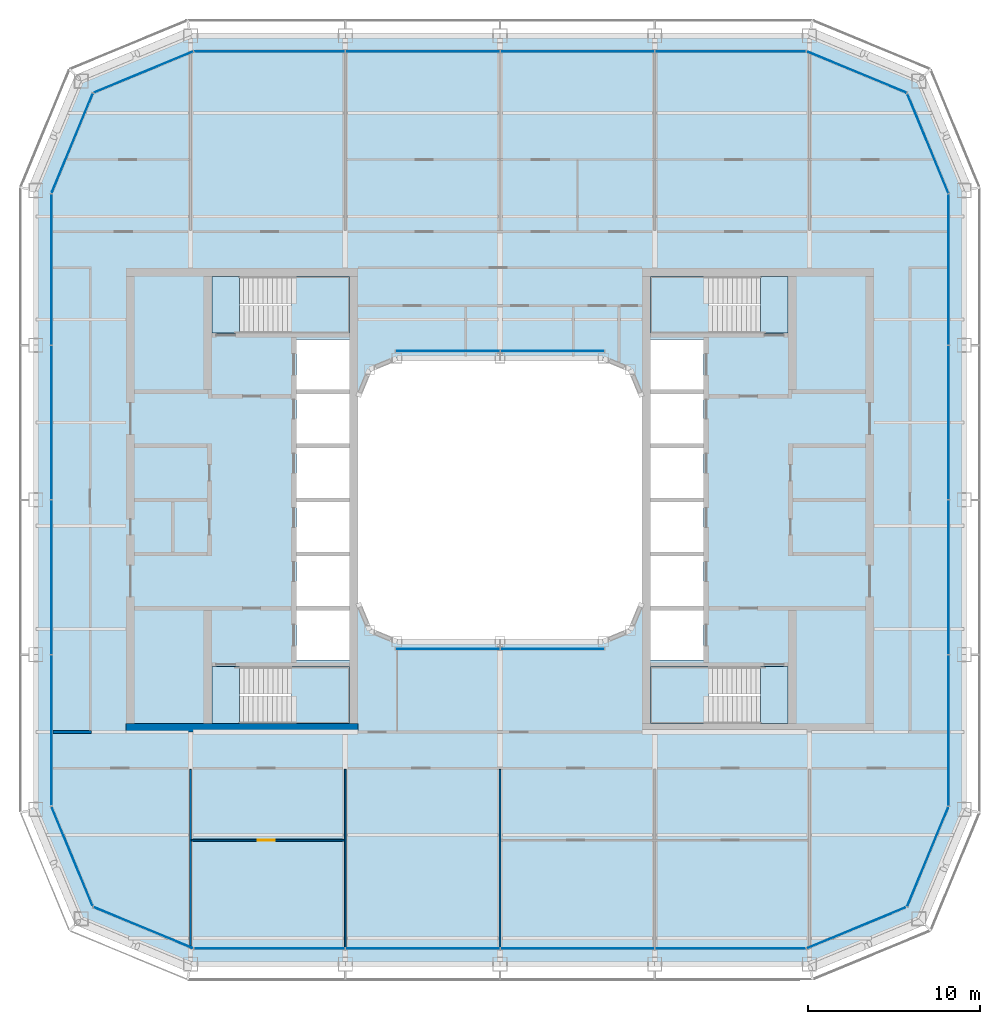
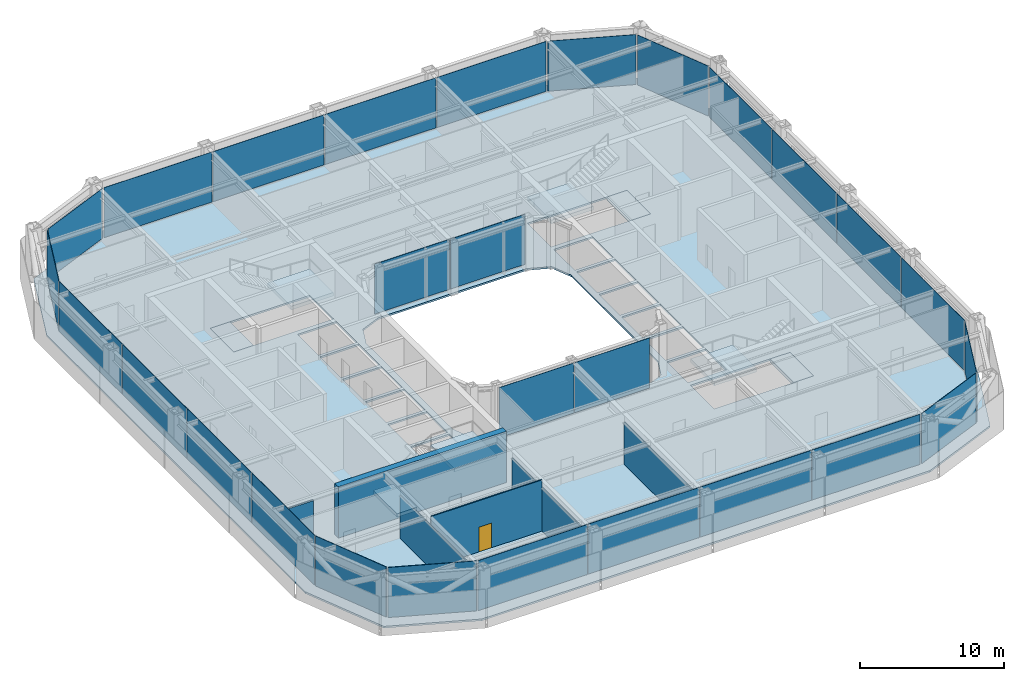
# One storey, part 11 of 19: 28 plates, 9 slabs, 6 walls, 1 door, 1 opening, 18 elements without a shape of their own.
"""IFC4 building model written with IfcOpenShell, lengths in metres."""

from ifc_helpers import new_model, si_unit, direction, frame, frame_2d, origin, origin_2d, place, context, subcontext, project, spatial, polyline, rectangle, outline, extrude, material, layer, layer_set, type_object, element, fill, aggregate, save


model = new_model("IFC4")

# Units and contexts
model_context = context("Model", 3, precision=1e-05, world=origin(), true_north=direction((0.0, 1.0)))
body_context = subcontext(model_context, "Body", "Model", "MODEL_VIEW")
ifc_project = project(units=[si_unit("LENGTHUNIT", "METRE"), si_unit("AREAUNIT", "SQUARE_METRE"), si_unit("VOLUMEUNIT", "CUBIC_METRE"), si_unit("PLANEANGLEUNIT", "RADIAN"), si_unit("MASSUNIT", "GRAM", prefix="KILO")], contexts=[model_context])

# Site, building, storey
site_placement = place(None, origin())
site = spatial("IfcSite", under=ifc_project, at=site_placement, CompositionType="ELEMENT")
building_placement = place(site_placement, origin())
building = spatial("IfcBuilding", under=site, at=building_placement, Name="Siwar Civic Tower", CompositionType="ELEMENT")
storey_placement = place(building_placement, frame((0.0, 0.0, 192.699951171875)))
storey = spatial("IfcBuildingStorey", under=building, at=storey_placement, Name="L41", CompositionType="ELEMENT", Elevation=192.699951171875)

# Stair, slabs
ifc_material_1 = material(Name="Concrete C40/50", Category="concrete")
stair_type = type_object("IfcStairType", Name="CORE-STAIR", PredefinedType="TWO_STRAIGHT_RUN_STAIR", material=ifc_material_1)
stair_1_placement = place(storey_placement, origin())
stair_1 = element("IfcStair", 1, at=stair_1_placement, inside=storey, type_object=stair_type, Name="Exit stair ST1", PredefinedType="TWO_STRAIGHT_RUN_STAIR")
ifc_material_2 = material(Name="Concrete C40/50", Category="concrete")
ifc_layer_1 = layer(ifc_material_2, 0.300048828125)
ifc_layer_set_1 = layer_set([ifc_layer_1], Name="Concrete C40/50")
slab_type_1 = type_object("IfcSlabType", Name="CORE-STAIR-LANDING", PredefinedType="LANDING", material=ifc_layer_set_1)
slab_1_placement = place(storey_placement, frame((0.0, 0.0, -0.300048828125)))
slab_1 = element("IfcSlab", 2, at=slab_1_placement, type_object=slab_type_1, Name="ST1 landing 1", PredefinedType="LANDING", context=body_context, shape_type="SweptSolid", body=[
    extrude(outline(polyline([(-15.14990234375, 13.0), (-16.75, 13.0), (-16.75, 9.699951171875), (-15.14990234375, 9.699951171875), (-15.14990234375, 13.0)])), origin(), (0.0, 0.0, 1.0), 0.300048828125),
])
slab_2_placement = place(storey_placement, frame((0.0, 0.0, 1.949951171875)))
slab_2 = element("IfcSlab", 3, at=slab_2_placement, type_object=slab_type_1, Name="ST1 landing 2", PredefinedType="LANDING", context=body_context, shape_type="SweptSolid", body=[
    extrude(outline(polyline([(-8.75, 13.0), (-12.139892578125, 13.0), (-12.139892578125, 9.699951171875), (-8.75, 9.699951171875), (-8.75, 13.0)])), origin(), (0.0, 0.0, 1.0), 0.300048828125),
])
aggregate(stair_1, [slab_1, slab_2])

stair_2_placement = place(storey_placement, origin())
stair_2 = element("IfcStair", 4, at=stair_2_placement, inside=storey, type_object=stair_type, Name="Exit stair ST2", PredefinedType="TWO_STRAIGHT_RUN_STAIR")
slab_3_placement = place(storey_placement, frame((0.0, 0.0, -0.300048828125)))
slab_3 = element("IfcSlab", 5, at=slab_3_placement, type_object=slab_type_1, Name="ST2 landing 1", PredefinedType="LANDING", context=body_context, shape_type="SweptSolid", body=[
    extrude(outline(polyline([(-15.14990234375, -9.699951171875), (-16.75, -9.699951171875), (-16.75, -13.0), (-15.14990234375, -13.0), (-15.14990234375, -9.699951171875)])), origin(), (0.0, 0.0, 1.0), 0.300048828125),
])
slab_4_placement = place(storey_placement, frame((0.0, 0.0, 1.949951171875)))
slab_4 = element("IfcSlab", 6, at=slab_4_placement, type_object=slab_type_1, Name="ST2 landing 2", PredefinedType="LANDING", context=body_context, shape_type="SweptSolid", body=[
    extrude(outline(polyline([(-8.75, -9.699951171875), (-12.139892578125, -9.699951171875), (-12.139892578125, -13.0), (-8.75, -13.0), (-8.75, -9.699951171875)])), origin(), (0.0, 0.0, 1.0), 0.300048828125),
])
aggregate(stair_2, [slab_3, slab_4])

stair_3_placement = place(storey_placement, origin())
stair_3 = element("IfcStair", 7, at=stair_3_placement, inside=storey, type_object=stair_type, Name="Exit stair ST3", PredefinedType="TWO_STRAIGHT_RUN_STAIR")
slab_5_placement = place(storey_placement, frame((0.0, 0.0, -0.300048828125)))
slab_5 = element("IfcSlab", 8, at=slab_5_placement, type_object=slab_type_1, Name="ST3 landing 1", PredefinedType="LANDING", context=body_context, shape_type="SweptSolid", body=[
    extrude(outline(polyline([(15.14990234375, 9.699951171875), (16.75, 9.699951171875), (16.75, 13.0), (15.14990234375, 13.0), (15.14990234375, 9.699951171875)])), origin(), (0.0, 0.0, 1.0), 0.300048828125),
])
slab_6_placement = place(storey_placement, frame((0.0, 0.0, 1.949951171875)))
slab_6 = element("IfcSlab", 9, at=slab_6_placement, type_object=slab_type_1, Name="ST3 landing 2", PredefinedType="LANDING", context=body_context, shape_type="SweptSolid", body=[
    extrude(outline(polyline([(8.75, 9.699951171875), (12.139892578125, 9.699951171875), (12.139892578125, 13.0), (8.75, 13.0), (8.75, 9.699951171875)])), origin(), (0.0, 0.0, 1.0), 0.300048828125),
])
aggregate(stair_3, [slab_5, slab_6])

stair_4_placement = place(storey_placement, origin())
stair_4 = element("IfcStair", 10, at=stair_4_placement, inside=storey, type_object=stair_type, Name="Exit stair ST4", PredefinedType="TWO_STRAIGHT_RUN_STAIR")
slab_7_placement = place(storey_placement, frame((0.0, 0.0, -0.300048828125)))
slab_7 = element("IfcSlab", 11, at=slab_7_placement, type_object=slab_type_1, Name="ST4 landing 1", PredefinedType="LANDING", context=body_context, shape_type="SweptSolid", body=[
    extrude(outline(polyline([(15.14990234375, -13.0), (16.75, -13.0), (16.75, -9.699951171875), (15.14990234375, -9.699951171875), (15.14990234375, -13.0)])), origin(), (0.0, 0.0, 1.0), 0.300048828125),
])
slab_8_placement = place(storey_placement, frame((0.0, 0.0, 1.949951171875)))
slab_8 = element("IfcSlab", 12, at=slab_8_placement, type_object=slab_type_1, Name="ST4 landing 2", PredefinedType="LANDING", context=body_context, shape_type="SweptSolid", body=[
    extrude(outline(polyline([(8.75, -13.0), (12.139892578125, -13.0), (12.139892578125, -9.699951171875), (8.75, -9.699951171875), (8.75, -13.0)])), origin(), (0.0, 0.0, 1.0), 0.300048828125),
])
aggregate(stair_4, [slab_7, slab_8])

# Curtain wall, plates
ifc_material_3 = material(Name="Aluminium and glass", Category="aluminium")
ifc_layer_2 = layer(ifc_material_3, 0.179931640625)
ifc_layer_set_2 = layer_set([ifc_layer_2], Name="Aluminium and glass")
curtain_wall_type_1 = type_object("IfcCurtainWallType", Name="ENV-CW-C", PredefinedType="NOTDEFINED", material=ifc_layer_set_2)
curtain_wall_1_placement = place(storey_placement, origin())
curtain_wall_1 = element("IfcCurtainWall", 13, at=curtain_wall_1_placement, inside=storey, type_object=curtain_wall_type_1, Name="Curtain wall C S", PredefinedType="NOTDEFINED")
ifc_material_4 = material(Name="Glass clear laminated", Category="glass")
ifc_layer_3 = layer(ifc_material_4, 0.031982421875)
ifc_layer_set_3 = layer_set([ifc_layer_3], Name="Glass clear laminated")
plate_type_1 = type_object("IfcPlateType", Name="ENV-PANEL-C", PredefinedType="CURTAIN_PANEL", material=ifc_layer_set_3)
plate_1_placement = place(storey_placement, frame((-13.410400390625, -26.10009765625, 0.10009765625), z_axis=(0.0, 0.0, 1.0), x_axis=(1.0, 0.0, 0.0)))
plate_1 = element("IfcPlate", 14, at=plate_1_placement, type_object=plate_type_1, Name="Curtain panel C S 1", PredefinedType="CURTAIN_PANEL", context=body_context, shape_type="SweptSolid", body=[
    extrude(rectangle(XDim=8.760986328125, YDim=0.031982421875, at=origin_2d()), origin(), (0.0, 0.0, 1.0), 4.25),
])
plate_2_placement = place(storey_placement, frame((-4.5, -26.10009765625, 0.10009765625), z_axis=(0.0, 0.0, 1.0), x_axis=(1.0, 0.0, 0.0)))
plate_2 = element("IfcPlate", 15, at=plate_2_placement, type_object=plate_type_1, Name="Curtain panel C S 2", PredefinedType="CURTAIN_PANEL", context=body_context, shape_type="SweptSolid", body=[
    extrude(rectangle(XDim=8.93994140625, YDim=0.031982421875, at=origin_2d()), origin(), (0.0, 0.0, 1.0), 4.25),
])
plate_3_placement = place(storey_placement, frame((4.5, -26.10009765625, 0.10009765625), z_axis=(0.0, 0.0, 1.0), x_axis=(1.0, 0.0, 0.0)))
plate_3 = element("IfcPlate", 16, at=plate_3_placement, type_object=plate_type_1, Name="Curtain panel C S 3", PredefinedType="CURTAIN_PANEL", context=body_context, shape_type="SweptSolid", body=[
    extrude(rectangle(XDim=8.93994140625, YDim=0.031982421875, at=origin_2d()), origin(), (0.0, 0.0, 1.0), 4.25),
])
plate_4_placement = place(storey_placement, frame((13.373046875, -26.10009765625, 0.10009765625), z_axis=(0.0, 0.0, 1.0), x_axis=(1.0, 0.0, 0.0)))
plate_4 = element("IfcPlate", 17, at=plate_4_placement, type_object=plate_type_1, Name="Curtain panel C S 4", PredefinedType="CURTAIN_PANEL", context=body_context, shape_type="SweptSolid", body=[
    extrude(rectangle(XDim=8.68603515625, YDim=0.031982421875, at=origin_2d()), origin(), (0.0, 0.0, 1.0), 4.25),
])
aggregate(curtain_wall_1, [plate_1, plate_2, plate_3, plate_4])

curtain_wall_2_placement = place(storey_placement, origin())
curtain_wall_2 = element("IfcCurtainWall", 18, at=curtain_wall_2_placement, inside=storey, type_object=curtain_wall_type_1, Name="Curtain wall C E", PredefinedType="NOTDEFINED")
plate_5_placement = place(storey_placement, frame((26.10009765625, -13.410400390625, 0.10009765625), z_axis=(0.0, 0.0, 1.0), x_axis=(0.0, 1.0, 0.0)))
plate_5 = element("IfcPlate", 19, at=plate_5_placement, type_object=plate_type_1, Name="Curtain panel C E 1", PredefinedType="CURTAIN_PANEL", context=body_context, shape_type="SweptSolid", body=[
    extrude(rectangle(XDim=8.760986328125, YDim=0.031982421875, at=origin_2d()), origin(), (0.0, 0.0, 1.0), 4.25),
])
plate_6_placement = place(storey_placement, frame((26.10009765625, -4.5, 0.10009765625), z_axis=(0.0, 0.0, 1.0), x_axis=(0.0, 1.0, 0.0)))
plate_6 = element("IfcPlate", 20, at=plate_6_placement, type_object=plate_type_1, Name="Curtain panel C E 2", PredefinedType="CURTAIN_PANEL", context=body_context, shape_type="SweptSolid", body=[
    extrude(rectangle(XDim=8.93994140625, YDim=0.031982421875, at=origin_2d()), origin(), (0.0, 0.0, 1.0), 4.25),
])
plate_7_placement = place(storey_placement, frame((26.10009765625, 4.5, 0.10009765625), z_axis=(0.0, 0.0, 1.0), x_axis=(0.0, 1.0, 0.0)))
plate_7 = element("IfcPlate", 21, at=plate_7_placement, type_object=plate_type_1, Name="Curtain panel C E 3", PredefinedType="CURTAIN_PANEL", context=body_context, shape_type="SweptSolid", body=[
    extrude(rectangle(XDim=8.93994140625, YDim=0.031982421875, at=origin_2d()), origin(), (0.0, 0.0, 1.0), 4.25),
])
plate_8_placement = place(storey_placement, frame((26.10009765625, 13.373046875, 0.10009765625), z_axis=(0.0, 0.0, 1.0), x_axis=(0.0, 1.0, 0.0)))
plate_8 = element("IfcPlate", 22, at=plate_8_placement, type_object=plate_type_1, Name="Curtain panel C E 4", PredefinedType="CURTAIN_PANEL", context=body_context, shape_type="SweptSolid", body=[
    extrude(rectangle(XDim=8.68603515625, YDim=0.031982421875, at=origin_2d()), origin(), (0.0, 0.0, 1.0), 4.25),
])
aggregate(curtain_wall_2, [plate_5, plate_6, plate_7, plate_8])

curtain_wall_3_placement = place(storey_placement, origin())
curtain_wall_3 = element("IfcCurtainWall", 23, at=curtain_wall_3_placement, inside=storey, type_object=curtain_wall_type_1, Name="Curtain wall C N", PredefinedType="NOTDEFINED")
plate_9_placement = place(storey_placement, frame((13.410400390625, 26.10009765625, 0.10009765625), z_axis=(0.0, 0.0, 1.0), x_axis=(-1.0, 0.0, 0.0)))
plate_9 = element("IfcPlate", 24, at=plate_9_placement, type_object=plate_type_1, Name="Curtain panel C N 1", PredefinedType="CURTAIN_PANEL", context=body_context, shape_type="SweptSolid", body=[
    extrude(rectangle(XDim=8.760986328125, YDim=0.031982421875, at=origin_2d()), origin(), (0.0, 0.0, 1.0), 4.25),
])
plate_10_placement = place(storey_placement, frame((4.5, 26.10009765625, 0.10009765625), z_axis=(0.0, 0.0, 1.0), x_axis=(-1.0, 0.0, 0.0)))
plate_10 = element("IfcPlate", 25, at=plate_10_placement, type_object=plate_type_1, Name="Curtain panel C N 2", PredefinedType="CURTAIN_PANEL", context=body_context, shape_type="SweptSolid", body=[
    extrude(rectangle(XDim=8.93994140625, YDim=0.031982421875, at=origin_2d()), origin(), (0.0, 0.0, 1.0), 4.25),
])
plate_11_placement = place(storey_placement, frame((-4.5, 26.10009765625, 0.10009765625), z_axis=(0.0, 0.0, 1.0), x_axis=(-1.0, 0.0, 0.0)))
plate_11 = element("IfcPlate", 26, at=plate_11_placement, type_object=plate_type_1, Name="Curtain panel C N 3", PredefinedType="CURTAIN_PANEL", context=body_context, shape_type="SweptSolid", body=[
    extrude(rectangle(XDim=8.93994140625, YDim=0.031982421875, at=origin_2d()), origin(), (0.0, 0.0, 1.0), 4.25),
])
plate_12_placement = place(storey_placement, frame((-13.373046875, 26.10009765625, 0.10009765625), z_axis=(0.0, 0.0, 1.0), x_axis=(-1.0, 0.0, 0.0)))
plate_12 = element("IfcPlate", 27, at=plate_12_placement, type_object=plate_type_1, Name="Curtain panel C N 4", PredefinedType="CURTAIN_PANEL", context=body_context, shape_type="SweptSolid", body=[
    extrude(rectangle(XDim=8.68603515625, YDim=0.031982421875, at=origin_2d()), origin(), (0.0, 0.0, 1.0), 4.25),
])
aggregate(curtain_wall_3, [plate_9, plate_10, plate_11, plate_12])

curtain_wall_4_placement = place(storey_placement, origin())
curtain_wall_4 = element("IfcCurtainWall", 28, at=curtain_wall_4_placement, inside=storey, type_object=curtain_wall_type_1, Name="Curtain wall C W", PredefinedType="NOTDEFINED")
plate_13_placement = place(storey_placement, frame((-26.10009765625, 13.410400390625, 0.10009765625), z_axis=(0.0, 0.0, 1.0), x_axis=(0.0, -1.0, 0.0)))
plate_13 = element("IfcPlate", 29, at=plate_13_placement, type_object=plate_type_1, Name="Curtain panel C W 1", PredefinedType="CURTAIN_PANEL", context=body_context, shape_type="SweptSolid", body=[
    extrude(rectangle(XDim=8.760986328125, YDim=0.031982421875, at=origin_2d()), origin(), (0.0, 0.0, 1.0), 4.25),
])
plate_14_placement = place(storey_placement, frame((-26.10009765625, 4.5, 0.10009765625), z_axis=(0.0, 0.0, 1.0), x_axis=(0.0, -1.0, 0.0)))
plate_14 = element("IfcPlate", 30, at=plate_14_placement, type_object=plate_type_1, Name="Curtain panel C W 2", PredefinedType="CURTAIN_PANEL", context=body_context, shape_type="SweptSolid", body=[
    extrude(rectangle(XDim=8.93994140625, YDim=0.031982421875, at=origin_2d()), origin(), (0.0, 0.0, 1.0), 4.25),
])
plate_15_placement = place(storey_placement, frame((-26.10009765625, -4.5, 0.10009765625), z_axis=(0.0, 0.0, 1.0), x_axis=(0.0, -1.0, 0.0)))
plate_15 = element("IfcPlate", 31, at=plate_15_placement, type_object=plate_type_1, Name="Curtain panel C W 3", PredefinedType="CURTAIN_PANEL", context=body_context, shape_type="SweptSolid", body=[
    extrude(rectangle(XDim=8.93994140625, YDim=0.031982421875, at=origin_2d()), origin(), (0.0, 0.0, 1.0), 4.25),
])
plate_16_placement = place(storey_placement, frame((-26.10009765625, -13.373046875, 0.10009765625), z_axis=(0.0, 0.0, 1.0), x_axis=(0.0, -1.0, 0.0)))
plate_16 = element("IfcPlate", 32, at=plate_16_placement, type_object=plate_type_1, Name="Curtain panel C W 4", PredefinedType="CURTAIN_PANEL", context=body_context, shape_type="SweptSolid", body=[
    extrude(rectangle(XDim=8.68603515625, YDim=0.031982421875, at=origin_2d()), origin(), (0.0, 0.0, 1.0), 4.25),
])
aggregate(curtain_wall_4, [plate_13, plate_14, plate_15, plate_16])

# Curtain wall, plate
ifc_material_5 = material(Name="Aluminium clad insulated panel", Category="aluminium")
ifc_layer_4 = layer(ifc_material_5, 0.179931640625)
ifc_layer_set_4 = layer_set([ifc_layer_4], Name="Aluminium clad insulated panel")
curtain_wall_type_2 = type_object("IfcCurtainWallType", Name="ENV-CW-CX", PredefinedType="NOTDEFINED", material=ifc_layer_set_4)
curtain_wall_5_placement = place(storey_placement, origin())
curtain_wall_5 = element("IfcCurtainWall", 33, at=curtain_wall_5_placement, inside=storey, type_object=curtain_wall_type_2, Name="Curtain wall C SE1", PredefinedType="NOTDEFINED")
ifc_material_6 = material(Name="Aluminium clad insulated panel", Category="aluminium")
ifc_layer_5 = layer(ifc_material_6, 0.031982421875)
ifc_layer_set_5 = layer_set([ifc_layer_5], Name="Aluminium clad insulated panel")
plate_type_2 = type_object("IfcPlateType", Name="ENV-PANEL-CX", PredefinedType="CURTAIN_PANEL", material=ifc_layer_set_5)
plate_17_placement = place(storey_placement, frame((20.71337890625, -24.90185546875, 0.10009765625), z_axis=(0.0, 0.0, 1.0), x_axis=(0.923879532511, 0.382683432365, 0.0)))
plate_17 = element("IfcPlate", 34, at=plate_17_placement, type_object=plate_type_2, Name="Curtain panel C SE1 1", PredefinedType="CURTAIN_PANEL", context=body_context, shape_type="SweptSolid", body=[
    extrude(rectangle(XDim=6.20166015625, YDim=0.031982421875, at=origin_2d()), origin(), (0.0, 0.0, 1.0), 4.25),
])
aggregate(curtain_wall_5, [plate_17])

curtain_wall_6_placement = place(storey_placement, origin())
curtain_wall_6 = element("IfcCurtainWall", 35, at=curtain_wall_6_placement, inside=storey, type_object=curtain_wall_type_2, Name="Curtain wall C SE2", PredefinedType="NOTDEFINED")
plate_18_placement = place(storey_placement, frame((24.873291015625, -20.78271484375, 0.10009765625), z_axis=(0.0, 0.0, 1.0), x_axis=(0.382683432365, 0.923879532511, 0.0)))
plate_18 = element("IfcPlate", 36, at=plate_18_placement, type_object=plate_type_2, Name="Curtain panel C SE2 1", PredefinedType="CURTAIN_PANEL", context=body_context, shape_type="SweptSolid", body=[
    extrude(rectangle(XDim=6.20166015625, YDim=0.031982421875, at=origin_2d()), origin(), (0.0, 0.0, 1.0), 4.25),
])
aggregate(curtain_wall_6, [plate_18])

curtain_wall_7_placement = place(storey_placement, origin())
curtain_wall_7 = element("IfcCurtainWall", 37, at=curtain_wall_7_placement, inside=storey, type_object=curtain_wall_type_2, Name="Curtain wall C NE1", PredefinedType="NOTDEFINED")
plate_19_placement = place(storey_placement, frame((24.90185546875, 20.71337890625, 0.10009765625), z_axis=(0.0, 0.0, 1.0), x_axis=(-0.382683432365, 0.923879532511, 0.0)))
plate_19 = element("IfcPlate", 38, at=plate_19_placement, type_object=plate_type_2, Name="Curtain panel C NE1 1", PredefinedType="CURTAIN_PANEL", context=body_context, shape_type="SweptSolid", body=[
    extrude(rectangle(XDim=6.20166015625, YDim=0.031982421875, at=origin_2d()), origin(), (0.0, 0.0, 1.0), 4.25),
])
aggregate(curtain_wall_7, [plate_19])

curtain_wall_8_placement = place(storey_placement, origin())
curtain_wall_8 = element("IfcCurtainWall", 39, at=curtain_wall_8_placement, inside=storey, type_object=curtain_wall_type_2, Name="Curtain wall C NE2", PredefinedType="NOTDEFINED")
plate_20_placement = place(storey_placement, frame((20.78271484375, 24.873291015625, 0.10009765625), z_axis=(0.0, 0.0, 1.0), x_axis=(-0.923879532511, 0.382683432365, 0.0)))
plate_20 = element("IfcPlate", 40, at=plate_20_placement, type_object=plate_type_2, Name="Curtain panel C NE2 1", PredefinedType="CURTAIN_PANEL", context=body_context, shape_type="SweptSolid", body=[
    extrude(rectangle(XDim=6.20166015625, YDim=0.031982421875, at=origin_2d()), origin(), (0.0, 0.0, 1.0), 4.25),
])
aggregate(curtain_wall_8, [plate_20])

curtain_wall_9_placement = place(storey_placement, origin())
curtain_wall_9 = element("IfcCurtainWall", 41, at=curtain_wall_9_placement, inside=storey, type_object=curtain_wall_type_2, Name="Curtain wall C NW1", PredefinedType="NOTDEFINED")
plate_21_placement = place(storey_placement, frame((-20.71337890625, 24.90185546875, 0.10009765625), z_axis=(0.0, 0.0, 1.0), x_axis=(-0.923879532511, -0.382683432365, 0.0)))
plate_21 = element("IfcPlate", 42, at=plate_21_placement, type_object=plate_type_2, Name="Curtain panel C NW1 1", PredefinedType="CURTAIN_PANEL", context=body_context, shape_type="SweptSolid", body=[
    extrude(rectangle(XDim=6.20166015625, YDim=0.031982421875, at=origin_2d()), origin(), (0.0, 0.0, 1.0), 4.25),
])
aggregate(curtain_wall_9, [plate_21])

curtain_wall_10_placement = place(storey_placement, origin())
curtain_wall_10 = element("IfcCurtainWall", 43, at=curtain_wall_10_placement, inside=storey, type_object=curtain_wall_type_2, Name="Curtain wall C NW2", PredefinedType="NOTDEFINED")
plate_22_placement = place(storey_placement, frame((-24.873291015625, 20.78271484375, 0.10009765625), z_axis=(0.0, 0.0, 1.0), x_axis=(-0.382683432365, -0.923879532511, 0.0)))
plate_22 = element("IfcPlate", 44, at=plate_22_placement, type_object=plate_type_2, Name="Curtain panel C NW2 1", PredefinedType="CURTAIN_PANEL", context=body_context, shape_type="SweptSolid", body=[
    extrude(rectangle(XDim=6.20166015625, YDim=0.031982421875, at=origin_2d()), origin(), (0.0, 0.0, 1.0), 4.25),
])
aggregate(curtain_wall_10, [plate_22])

curtain_wall_11_placement = place(storey_placement, origin())
curtain_wall_11 = element("IfcCurtainWall", 45, at=curtain_wall_11_placement, inside=storey, type_object=curtain_wall_type_2, Name="Curtain wall C SW1", PredefinedType="NOTDEFINED")
plate_23_placement = place(storey_placement, frame((-24.90185546875, -20.71337890625, 0.10009765625), z_axis=(0.0, 0.0, 1.0), x_axis=(0.382683432365, -0.923879532511, 0.0)))
plate_23 = element("IfcPlate", 46, at=plate_23_placement, type_object=plate_type_2, Name="Curtain panel C SW1 1", PredefinedType="CURTAIN_PANEL", context=body_context, shape_type="SweptSolid", body=[
    extrude(rectangle(XDim=6.20166015625, YDim=0.031982421875, at=origin_2d()), origin(), (0.0, 0.0, 1.0), 4.25),
])
aggregate(curtain_wall_11, [plate_23])

curtain_wall_12_placement = place(storey_placement, origin())
curtain_wall_12 = element("IfcCurtainWall", 47, at=curtain_wall_12_placement, inside=storey, type_object=curtain_wall_type_2, Name="Curtain wall C SW2", PredefinedType="NOTDEFINED")
plate_24_placement = place(storey_placement, frame((-20.78271484375, -24.873291015625, 0.10009765625), z_axis=(0.0, 0.0, 1.0), x_axis=(0.923879532511, -0.382683432365, 0.0)))
plate_24 = element("IfcPlate", 48, at=plate_24_placement, type_object=plate_type_2, Name="Curtain panel C SW2 1", PredefinedType="CURTAIN_PANEL", context=body_context, shape_type="SweptSolid", body=[
    extrude(rectangle(XDim=6.20166015625, YDim=0.031982421875, at=origin_2d()), origin(), (0.0, 0.0, 1.0), 4.25),
])
aggregate(curtain_wall_12, [plate_24])

# Curtain wall, plates
ifc_material_7 = material(Name="Aluminium and glass", Category="aluminium")
ifc_layer_6 = layer(ifc_material_7, 0.179931640625)
ifc_layer_set_6 = layer_set([ifc_layer_6], Name="Aluminium and glass")
curtain_wall_type_3 = type_object("IfcCurtainWallType", Name="ENV-CW-W", PredefinedType="NOTDEFINED", material=ifc_layer_set_6)
curtain_wall_13_placement = place(storey_placement, origin())
curtain_wall_13 = element("IfcCurtainWall", 49, at=curtain_wall_13_placement, inside=storey, type_object=curtain_wall_type_3, Name="Curtain wall W WS", PredefinedType="NOTDEFINED")
ifc_material_8 = material(Name="Glass clear laminated", Category="glass")
ifc_layer_7 = layer(ifc_material_8, 0.031982421875)
ifc_layer_set_7 = layer_set([ifc_layer_7], Name="Glass clear laminated")
plate_type_3 = type_object("IfcPlateType", Name="ENV-PANEL-W", PredefinedType="CURTAIN_PANEL", material=ifc_layer_set_7)
plate_25_placement = place(storey_placement, frame((-3.040771484375, -8.659912109375, 0.10009765625), z_axis=(0.0, 0.0, 1.0), x_axis=(1.0, 0.0, 0.0)))
plate_25 = element("IfcPlate", 50, at=plate_25_placement, type_object=plate_type_3, Name="Curtain panel W WS 1", PredefinedType="CURTAIN_PANEL", context=body_context, shape_type="SweptSolid", body=[
    extrude(rectangle(XDim=6.021484375, YDim=0.031982421875, at=origin_2d()), origin(), (0.0, 0.0, 1.0), 4.25),
])
plate_26_placement = place(storey_placement, frame((3.040771484375, -8.659912109375, 0.10009765625), z_axis=(0.0, 0.0, 1.0), x_axis=(1.0, 0.0, 0.0)))
plate_26 = element("IfcPlate", 51, at=plate_26_placement, type_object=plate_type_3, Name="Curtain panel W WS 2", PredefinedType="CURTAIN_PANEL", context=body_context, shape_type="SweptSolid", body=[
    extrude(rectangle(XDim=6.021484375, YDim=0.031982421875, at=origin_2d()), origin(), (0.0, 0.0, 1.0), 4.25),
])
aggregate(curtain_wall_13, [plate_25, plate_26])

curtain_wall_14_placement = place(storey_placement, origin())
curtain_wall_14 = element("IfcCurtainWall", 52, at=curtain_wall_14_placement, inside=storey, type_object=curtain_wall_type_3, Name="Curtain wall W WN", PredefinedType="NOTDEFINED")
plate_27_placement = place(storey_placement, frame((3.040771484375, 8.659912109375, 0.10009765625), z_axis=(0.0, 0.0, 1.0), x_axis=(-1.0, 0.0, 0.0)))
plate_27 = element("IfcPlate", 53, at=plate_27_placement, type_object=plate_type_3, Name="Curtain panel W WN 1", PredefinedType="CURTAIN_PANEL", context=body_context, shape_type="SweptSolid", body=[
    extrude(rectangle(XDim=6.021484375, YDim=0.031982421875, at=origin_2d()), origin(), (0.0, 0.0, 1.0), 4.25),
])
plate_28_placement = place(storey_placement, frame((-3.040771484375, 8.659912109375, 0.10009765625), z_axis=(0.0, 0.0, 1.0), x_axis=(-1.0, 0.0, 0.0)))
plate_28 = element("IfcPlate", 54, at=plate_28_placement, type_object=plate_type_3, Name="Curtain panel W WN 2", PredefinedType="CURTAIN_PANEL", context=body_context, shape_type="SweptSolid", body=[
    extrude(rectangle(XDim=6.021484375, YDim=0.031982421875, at=origin_2d()), origin(), (0.0, 0.0, 1.0), 4.25),
])
aggregate(curtain_wall_14, [plate_27, plate_28])

# Slab
ifc_material_9 = material(Name="Concrete C40/50", Category="concrete")
ifc_layer_8 = layer(ifc_material_9, 0.14990234375)
ifc_layer_set_8 = layer_set([ifc_layer_8], Name="Concrete C40/50")
slab_type_2 = type_object("IfcSlabType", Name="STR-FLOOR-DECK-150", PredefinedType="FLOOR", material=ifc_layer_set_8)
slab_9_placement = place(storey_placement, frame((0.0, 0.0, -0.14990234375)))
element("IfcSlab", 55, at=slab_9_placement, inside=storey, type_object=slab_type_2, Name="L41/slab/1", PredefinedType="FLOOR", context=body_context, shape_type="SweptSolid", body=[
    extrude(outline(polyline([(-18.0, -27.0), (18.0, -27.0), (24.364013671875, -24.364013671875), (27.0, -18.0), (27.0, 18.0), (24.364013671875, 24.364013671875), (18.0, 27.0), (-18.0, 27.0), (-24.364013671875, 24.364013671875), (-27.0, 18.0), (-27.0, -18.0), (-24.364013671875, -24.364013671875), (-18.0, -27.0)]), holes=[polyline([(16.75, 13.0), (16.75, 9.699951171875), (8.75, 9.699951171875), (8.75, 13.0), (16.75, 13.0)]), polyline([(8.75, -9.699951171875), (16.75, -9.699951171875), (16.75, -13.0), (8.75, -13.0), (8.75, -9.699951171875)]), polyline([(11.85009765625, 9.324951171875), (11.85009765625, 6.425048828125), (8.75, 6.425048828125), (8.75, 9.324951171875), (11.85009765625, 9.324951171875)]), polyline([(8.75, 6.175048828125), (11.85009765625, 6.175048828125), (11.85009765625, 3.27490234375), (8.75, 3.27490234375), (8.75, 6.175048828125)]), polyline([(8.75, 3.02490234375), (11.85009765625, 3.02490234375), (11.85009765625, 0.125), (8.75, 0.125), (8.75, 3.02490234375)]), polyline([(8.75, -0.125), (11.85009765625, -0.125), (11.85009765625, -3.02490234375), (8.75, -3.02490234375), (8.75, -0.125)]), polyline([(8.75, -3.27490234375), (11.85009765625, -3.27490234375), (11.85009765625, -6.175048828125), (8.75, -6.175048828125), (8.75, -3.27490234375)]), polyline([(8.75, -6.425048828125), (11.85009765625, -6.425048828125), (11.85009765625, -9.324951171875), (8.75, -9.324951171875), (8.75, -6.425048828125)]), polyline([(-6.0, 8.25), (6.0, 8.25), (7.591064453125, 7.591064453125), (8.25, 6.0), (8.25, -6.0), (7.591064453125, -7.591064453125), (6.0, -8.25), (-6.0, -8.25), (-7.591064453125, -7.591064453125), (-8.25, -6.0), (-8.25, 6.0), (-7.591064453125, 7.591064453125), (-6.0, 8.25)]), polyline([(-8.75, -13.0), (-16.75, -13.0), (-16.75, -9.699951171875), (-8.75, -9.699951171875), (-8.75, -13.0)]), polyline([(-8.75, 9.699951171875), (-16.75, 9.699951171875), (-16.75, 13.0), (-8.75, 13.0), (-8.75, 9.699951171875)]), polyline([(-8.75, 6.425048828125), (-11.85009765625, 6.425048828125), (-11.85009765625, 9.324951171875), (-8.75, 9.324951171875), (-8.75, 6.425048828125)]), polyline([(-8.75, 3.27490234375), (-11.85009765625, 3.27490234375), (-11.85009765625, 6.175048828125), (-8.75, 6.175048828125), (-8.75, 3.27490234375)]), polyline([(-8.75, 0.125), (-11.85009765625, 0.125), (-11.85009765625, 3.02490234375), (-8.75, 3.02490234375), (-8.75, 0.125)]), polyline([(-8.75, -3.02490234375), (-11.85009765625, -3.02490234375), (-11.85009765625, -0.125), (-8.75, -0.125), (-8.75, -3.02490234375)]), polyline([(-8.75, -6.175048828125), (-11.85009765625, -6.175048828125), (-11.85009765625, -3.27490234375), (-8.75, -3.27490234375), (-8.75, -6.175048828125)]), polyline([(-8.75, -9.324951171875), (-11.85009765625, -9.324951171875), (-11.85009765625, -6.425048828125), (-8.75, -6.425048828125), (-8.75, -9.324951171875)])]), origin(), (0.0, 0.0, 1.0), 0.14990234375),
])

# Walls
ifc_material_10 = material(Name="Concrete C60/75", Category="concrete")
ifc_layer_9 = layer(ifc_material_10, 0.5)
ifc_layer_set_9 = layer_set([ifc_layer_9], Name="Concrete C60/75")
wall_type_1 = type_object("IfcWallType", Name="CORE-WALL-RC500", PredefinedType="SHEAR", material=ifc_layer_set_9)
wall_1_placement = place(storey_placement, frame((-8.25, -13.25, 0.0), z_axis=(0.0, 0.0, 1.0), x_axis=(-1.0, 0.0, 0.0)))
element("IfcWall", 56, at=wall_1_placement, inside=storey, type_object=wall_type_1, Name="Core wall W", PredefinedType="SHEAR", context=body_context, shape_type="SweptSolid", body=[
    extrude(rectangle(XDim=13.5, YDim=0.5, at=frame_2d((6.75, 0.0))), origin(), (0.0, 0.0, 1.0), 4.35009765625),
])
ifc_material_11 = material(Name="Gypsum board on steel studs", Category="steel")
ifc_layer_10 = layer(ifc_material_11, 0.14990234375)
ifc_layer_set_10 = layer_set([ifc_layer_10], Name="Gypsum board on steel studs")
wall_type_2 = type_object("IfcWallType", Name="CORRIDOR PARTITION 150 EI 30", PredefinedType="PARTITIONING", material=ifc_layer_set_10)
wall_2_placement = place(storey_placement, frame((-26.010009765625, -13.5, 0.0), z_axis=(0.0, 0.0, 1.0), x_axis=(1.0, 0.0, 0.0)))
element("IfcWall", 57, at=wall_2_placement, inside=storey, type_object=wall_type_2, Name="L41/wall/P04", PredefinedType="PARTITIONING", context=body_context, shape_type="SweptSolid", body=[
    extrude(rectangle(XDim=2.235107421875, YDim=0.14990234375, at=frame_2d((1.11767578125, 0.0))), origin(), (0.0, 0.0, 1.0), 3.949951171875),
])

# Wall, opening, door
ifc_material_12 = material(Name="Gypsum board on steel studs", Category="steel")
ifc_layer_11 = layer(ifc_material_12, 0.10009765625)
ifc_layer_set_11 = layer_set([ifc_layer_11], Name="Gypsum board on steel studs")
wall_type_3 = type_object("IfcWallType", Name="PARTITION 100 GYPSUM", PredefinedType="PARTITIONING", material=ifc_layer_set_11)
wall_3_placement = place(storey_placement, frame((-17.949951171875, -19.800048828125, 0.0), z_axis=(0.0, 0.0, 1.0), x_axis=(1.0, 0.0, 0.0)))
wall_3 = element("IfcWall", 58, at=wall_3_placement, inside=storey, type_object=wall_type_3, Name="L41/wall/P01", PredefinedType="PARTITIONING", context=body_context, shape_type="SweptSolid", body=[
    extrude(rectangle(XDim=8.89990234375, YDim=0.10009765625, at=frame_2d((4.449951171875, 0.0))), origin(), (0.0, 0.0, 1.0), 4.35009765625),
])
opening_placement = place(wall_3_placement, frame((3.85009765625, 0.0, 0.0)))
opening = element("IfcOpeningElement", 59, at=opening_placement, cuts=wall_3, Name="Opening D2", PredefinedType="OPENING", context=body_context, shape_type="SweptSolid", body=[
    extrude(rectangle(XDim=1.0, YDim=2.10009765625, at=frame_2d((0.5, 1.050048828125))), frame((0.0, 0.06005859375, 0.0), z_axis=(0.0, -1.0, 0.0), x_axis=(1.0, 0.0, 0.0)), (0.0, 0.0, 1.0), 0.1201171875),
])
ifc_material_13 = material(Name="Timber, painted", Category="wood")
door_type = type_object("IfcDoorType", Name="DOOR 1000 X 2100", OperationType="SINGLE_SWING_LEFT", PredefinedType="DOOR", material=ifc_material_13)
door_placement = place(opening_placement, origin())
door = element("IfcDoor", 60, at=door_placement, inside=storey, type_object=door_type, Name="L41-D10", OperationType="SINGLE_SWING_RIGHT", OverallHeight=2.10009765625, OverallWidth=1.0, PredefinedType="DOOR", context=body_context, shape_type="SweptSolid", body=[
    extrude(rectangle(XDim=1.0, YDim=2.10009765625, at=frame_2d((0.5, 1.050048828125))), frame((0.0, 0.02490234375, 0.0), z_axis=(0.0, -1.0, 0.0), x_axis=(1.0, 0.0, 0.0)), (0.0, 0.0, 1.0), 0.050048828125),
])
fill(opening, door)

# Walls
wall_4_placement = place(storey_placement, frame((-18.0, -25.927978515625, 0.0), z_axis=(0.0, 0.0, 1.0), x_axis=(0.0, 1.0, 0.0)))
element("IfcWall", 61, at=wall_4_placement, inside=storey, type_object=wall_type_3, Name="L41/wall/P16", PredefinedType="PARTITIONING", context=body_context, shape_type="SweptSolid", body=[
    extrude(rectangle(XDim=10.2529296875, YDim=0.10009765625, at=frame_2d((5.12646484375, 0.0))), origin(), (0.0, 0.0, 1.0), 3.650146484375),
])
wall_5_placement = place(storey_placement, frame((-9.0, -26.010009765625, 0.0), z_axis=(0.0, 0.0, 1.0), x_axis=(0.0, 1.0, 0.0)))
element("IfcWall", 62, at=wall_5_placement, inside=storey, type_object=wall_type_3, Name="L41/wall/P18", PredefinedType="PARTITIONING", context=body_context, shape_type="SweptSolid", body=[
    extrude(rectangle(XDim=10.3349609375, YDim=0.10009765625, at=frame_2d((5.16748046875, 0.0))), origin(), (0.0, 0.0, 1.0), 3.650146484375),
])
wall_6_placement = place(storey_placement, frame((0.0, -26.010009765625, 0.0), z_axis=(0.0, 0.0, 1.0), x_axis=(0.0, 1.0, 0.0)))
element("IfcWall", 63, at=wall_6_placement, inside=storey, type_object=wall_type_3, Name="L41/wall/P22", PredefinedType="PARTITIONING", context=body_context, shape_type="SweptSolid", body=[
    extrude(rectangle(XDim=10.3349609375, YDim=0.10009765625, at=frame_2d((5.16748046875, 0.0))), origin(), (0.0, 0.0, 1.0), 3.550048828125),
])

save(model, "model.ifc")
